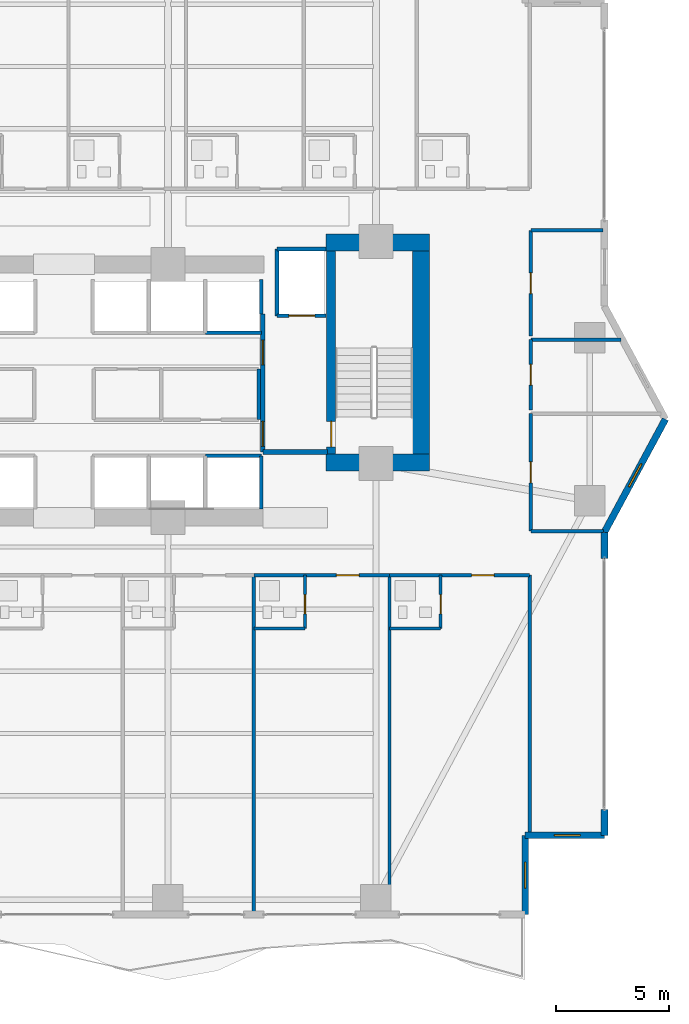
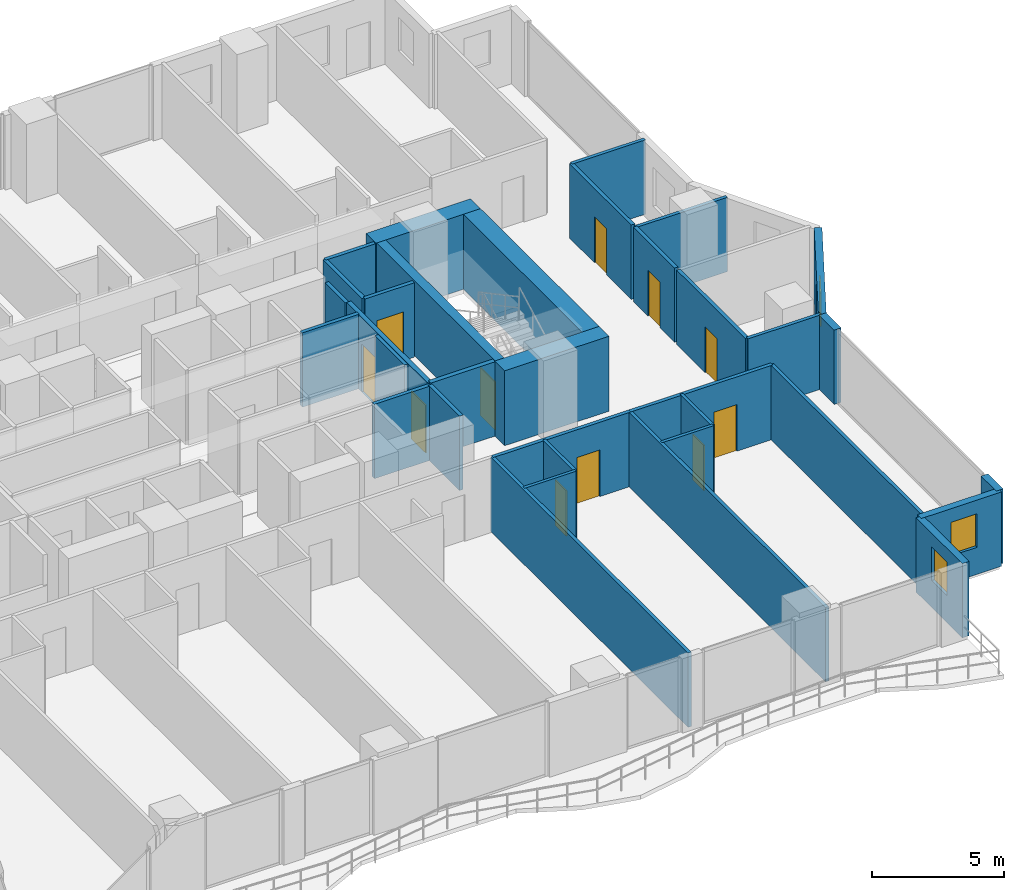
# One storey, part 23 of 29: 34 walls, 11 doors, 3 windows, 14 openings.
"""IFC4 building model written with IfcOpenShell, lengths in metres."""

from ifc_helpers import new_model, si_unit, direction, frame, frame_2d, origin, place, context, subcontext, project, spatial, rectangle, extrude, material, layer, layer_set, type_object, element, fill, save


model = new_model("IFC4")

# Units and contexts
model_context = context("Model", 3, precision=1e-05, world=origin(), true_north=direction((0.0, 1.0)))
body_context = subcontext(model_context, "Body", "Model", "MODEL_VIEW")
ifc_project = project(units=[si_unit("LENGTHUNIT", "METRE"), si_unit("AREAUNIT", "SQUARE_METRE"), si_unit("VOLUMEUNIT", "CUBIC_METRE"), si_unit("PLANEANGLEUNIT", "RADIAN"), si_unit("MASSUNIT", "GRAM", prefix="KILO")], contexts=[model_context])

# Site, building, storey
site_placement = place(None, origin())
site = spatial("IfcSite", under=ifc_project, at=site_placement, CompositionType="ELEMENT")
building_placement = place(site_placement, origin())
building = spatial("IfcBuilding", under=site, at=building_placement, Name="Zuhayl Quay Hotel", CompositionType="ELEMENT")
storey_placement = place(building_placement, frame((0.0, 0.0, 150.39990234375)))
storey = spatial("IfcBuildingStorey", under=building, at=storey_placement, Name="L38", CompositionType="ELEMENT", Elevation=150.39990234375)

# Walls
ifc_material_1 = material(Name="Concrete C60/75", Category="concrete")
ifc_layer_1 = layer(ifc_material_1, 0.75, Name="Concrete C60/75", Category="concrete")
ifc_layer_set_1 = layer_set([ifc_layer_1], Name="Concrete C60/75")
wall_type_1 = type_object("IfcWallType", Name="WL_CORE_750", PredefinedType="SHEAR", material=ifc_layer_set_1)
wall_1_placement = place(storey_placement, frame((11.60009765625, 14.304931640625, 0.0), z_axis=(0.0, 0.0, 1.0), x_axis=(1.0, 0.0, 0.0)))
element("IfcWall", 1, at=wall_1_placement, inside=storey, type_object=wall_type_1, Name="L38 Core Shear Wall CW_NE", PredefinedType="SHEAR", context=body_context, shape_type="SweptSolid", body=[
    extrude(rectangle(XDim=4.559814453125, YDim=0.75, at=frame_2d((2.27978515625, 0.0))), origin(), (0.0, 0.0, 1.0), 3.460205078125),
])
wall_2_placement = place(storey_placement, frame((15.784912109375, 4.969970703125, 0.0), z_axis=(0.0, 0.0, 1.0), x_axis=(0.0, 1.0, 0.0)))
element("IfcWall", 2, at=wall_2_placement, inside=storey, type_object=wall_type_1, Name="L38 Core Shear Wall CW_E", PredefinedType="SHEAR", context=body_context, shape_type="SweptSolid", body=[
    extrude(rectangle(XDim=8.9599609375, YDim=0.75, at=frame_2d((4.47998046875, 0.0))), origin(), (0.0, 0.0, 1.0), 3.460205078125),
])
wall_3_placement = place(storey_placement, frame((11.60009765625, 4.594970703125, 0.0), z_axis=(0.0, 0.0, 1.0), x_axis=(1.0, 0.0, 0.0)))
element("IfcWall", 3, at=wall_3_placement, inside=storey, type_object=wall_type_1, Name="L38 Core Shear Wall CW_SE", PredefinedType="SHEAR", context=body_context, shape_type="SweptSolid", body=[
    extrude(rectangle(XDim=4.559814453125, YDim=0.75, at=frame_2d((2.27978515625, 0.0))), origin(), (0.0, 0.0, 1.0), 3.460205078125),
])

# Wall, opening, window
ifc_material_2 = material(Name="Precast concrete C45/55", Category="concrete")
ifc_layer_2 = layer(ifc_material_2, 0.300048828125, Name="Precast concrete C45/55", Category="concrete")
ifc_layer_set_2 = layer_set([ifc_layer_2], Name="Precast concrete C45/55")
wall_type_2 = type_object("IfcWallType", Name="WL_EXT_300", PredefinedType="STANDARD", material=ifc_layer_set_2)
wall_4_placement = place(storey_placement, frame((26.60009765625, 6.5, 0.0), z_axis=(0.0, 0.0, 1.0), x_axis=(-0.475175525499, -0.879891027325, 0.0)))
wall_4 = element("IfcWall", 4, at=wall_4_placement, inside=storey, type_object=wall_type_2, Name="L38 Exterior Precast Wall ENV_L38_EW13", PredefinedType="STANDARD", context=body_context, shape_type="SweptSolid", body=[
    extrude(rectangle(XDim=5.6826171875, YDim=0.300048828125, at=frame_2d((2.84130859375, 0.0))), origin(), (0.0, 0.0, 1.0), 3.43017578125),
])
opening_1_placement = place(wall_4_placement, frame((2.2421875, 0.0, 1.25)))
opening_1 = element("IfcOpeningElement", 5, at=opening_1_placement, cuts=wall_4, Name="Opening W01N", PredefinedType="OPENING", context=body_context, shape_type="SweptSolid", body=[
    extrude(rectangle(XDim=1.14990234375, YDim=1.550048828125, at=frame_2d((0.574951171875, 0.77490234375))), frame((0.0, 0.159912109375, 0.0), z_axis=(0.0, -1.0, 0.0), x_axis=(1.0, 0.0, 0.0)), (0.0, 0.0, 1.0), 0.320068359375),
])
ifc_material_3 = material(Name="Dark Ceramic-Fritted Solar Glass", Category="glass")
window_type = type_object("IfcWindowType", Name="WN_NOTCH_1350", PartitioningType="SINGLE_PANEL", PredefinedType="WINDOW", material=ifc_material_3)
window_1_placement = place(opening_1_placement, origin())
window_1 = element("IfcWindow", 6, at=window_1_placement, inside=storey, type_object=window_type, Name="L38 Corner Notch Window 13", OverallHeight=1.550048828125, OverallWidth=1.14990234375, PartitioningType="SINGLE_PANEL", PredefinedType="WINDOW", context=body_context, shape_type="SweptSolid", body=[
    extrude(rectangle(XDim=1.14990234375, YDim=1.550048828125, at=frame_2d((0.574951171875, 0.77490234375))), frame((0.0, 0.030029296875, 0.0), z_axis=(0.0, -1.0, 0.0), x_axis=(1.0, 0.0, 0.0)), (0.0, 0.0, 1.0), 0.06005859375),
])
fill(opening_1, window_1)

# Walls
for number, where, z_axis, x_axis, name in (
    (7, (23.89990234375, 1.5, 0.0), (0.0, 0.0, 1.0), (0.0, -1.0, 0.0), "L38 Exterior Precast Wall ENV_L38_E14_EW1"),
    (8, (23.89990234375, -10.75, 0.0), (0.0, 0.0, 1.0), (0.0, -1.0, 0.0), "L38 Exterior Precast Wall ENV_L38_E14_EW2"),
):
    element("IfcWall", number, at=place(storey_placement, frame(where, z_axis=z_axis, x_axis=x_axis)), inside=storey, type_object=wall_type_2, Name=name, PredefinedType="STANDARD", context=body_context, shape_type="SweptSolid", body=[
        extrude(rectangle(XDim=1.14990234375, YDim=0.300048828125, at=frame_2d((0.574951171875, 0.0))), origin(), (0.0, 0.0, 1.0), 3.43017578125),
    ])

# Wall, opening, window
wall_5_placement = place(storey_placement, frame((23.89990234375, -11.89990234375, 0.0), z_axis=(0.0, 0.0, 1.0), x_axis=(-1.0, 0.0, 0.0)))
wall_5 = element("IfcWall", 9, at=wall_5_placement, inside=storey, type_object=wall_type_2, Name="L38 Exterior Precast Wall ENV_L38_EW15", PredefinedType="STANDARD", context=body_context, shape_type="SweptSolid", body=[
    extrude(rectangle(XDim=3.5, YDim=0.300048828125, at=frame_2d((1.75, 0.0))), origin(), (0.0, 0.0, 1.0), 3.43017578125),
])
opening_2_placement = place(wall_5_placement, frame((1.06494140625, 0.0, 1.25)))
opening_2 = element("IfcOpeningElement", 10, at=opening_2_placement, cuts=wall_5, Name="Opening W01N", PredefinedType="OPENING", context=body_context, shape_type="SweptSolid", body=[
    extrude(rectangle(XDim=1.14990234375, YDim=1.550048828125, at=frame_2d((0.574951171875, 0.77490234375))), frame((0.0, 0.159912109375, 0.0), z_axis=(0.0, -1.0, 0.0), x_axis=(1.0, 0.0, 0.0)), (0.0, 0.0, 1.0), 0.320068359375),
])
window_2_placement = place(opening_2_placement, origin())
window_2 = element("IfcWindow", 11, at=window_2_placement, inside=storey, type_object=window_type, Name="L38 Corner Notch Window 15", OverallHeight=1.550048828125, OverallWidth=1.14990234375, PartitioningType="SINGLE_PANEL", PredefinedType="WINDOW", context=body_context, shape_type="SweptSolid", body=[
    extrude(rectangle(XDim=1.14990234375, YDim=1.550048828125, at=frame_2d((0.574951171875, 0.77490234375))), frame((0.0, 0.030029296875, 0.0), z_axis=(0.0, -1.0, 0.0), x_axis=(1.0, 0.0, 0.0)), (0.0, 0.0, 1.0), 0.06005859375),
])
fill(opening_2, window_2)

wall_6_placement = place(storey_placement, frame((20.39990234375, -11.89990234375, 0.0), z_axis=(0.0, 0.0, 1.0), x_axis=(0.0, -1.0, 0.0)))
wall_6 = element("IfcWall", 12, at=wall_6_placement, inside=storey, type_object=wall_type_2, Name="L38 Exterior Precast Wall ENV_L38_EW16", PredefinedType="STANDARD", context=body_context, shape_type="SweptSolid", body=[
    extrude(rectangle(XDim=3.5, YDim=0.300048828125, at=frame_2d((1.75, 0.0))), origin(), (0.0, 0.0, 1.0), 3.43017578125),
])
opening_3_placement = place(wall_6_placement, frame((1.18505859375, 0.0, 1.25)))
opening_3 = element("IfcOpeningElement", 13, at=opening_3_placement, cuts=wall_6, Name="Opening W01N", PredefinedType="OPENING", context=body_context, shape_type="SweptSolid", body=[
    extrude(rectangle(XDim=1.14990234375, YDim=1.550048828125, at=frame_2d((0.574951171875, 0.77490234375))), frame((0.0, 0.159912109375, 0.0), z_axis=(0.0, -1.0, 0.0), x_axis=(1.0, 0.0, 0.0)), (0.0, 0.0, 1.0), 0.320068359375),
])
window_3_placement = place(opening_3_placement, origin())
window_3 = element("IfcWindow", 14, at=window_3_placement, inside=storey, type_object=window_type, Name="L38 Corner Notch Window 16", OverallHeight=1.550048828125, OverallWidth=1.14990234375, PartitioningType="SINGLE_PANEL", PredefinedType="WINDOW", context=body_context, shape_type="SweptSolid", body=[
    extrude(rectangle(XDim=1.14990234375, YDim=1.550048828125, at=frame_2d((0.574951171875, 0.77490234375))), frame((0.0, 0.030029296875, 0.0), z_axis=(0.0, -1.0, 0.0), x_axis=(1.0, 0.0, 0.0)), (0.0, 0.0, 1.0), 0.06005859375),
])
fill(opening_3, window_3)

# Walls
ifc_material_4 = material(Name="Acoustic Gypsum Partition STC-58")
ifc_layer_3 = layer(ifc_material_4, 0.14990234375, Name="Acoustic Gypsum Partition STC-58")
ifc_layer_set_3 = layer_set([ifc_layer_3], Name="Acoustic Gypsum Partition STC-58")
wall_type_3 = type_object("IfcWallType", Name="WL_PART_150", PredefinedType="PARTITIONING", material=ifc_layer_set_3)
wall_7_placement = place(storey_placement, frame((8.610107421875, 6.47998046875, 0.0), z_axis=(0.0, 0.0, 1.0), x_axis=(0.0, 1.0, 0.0)))
element("IfcWall", 15, at=wall_7_placement, inside=storey, type_object=wall_type_3, Name="L38 Partition IW_L38_CORE_LN_E", PredefinedType="PARTITIONING", context=body_context, shape_type="SweptSolid", body=[
    extrude(rectangle(XDim=2.239990234375, YDim=0.14990234375, at=frame_2d((1.1201171875, 0.0))), origin(), (0.0, 0.0, 1.0), 3.43017578125),
])
for number, where, z_axis, x_axis, name in (
    (16, (8.39990234375, -15.320068359375, 0.0), (0.0, 0.0, 1.0), (0.0, 1.0, 0.0), "L38 Partition IW_L38_SU05_E"),
    (17, (14.39990234375, -15.320068359375, 0.0), (0.0, 0.0, 1.0), (0.0, 1.0, 0.0), "L38 Partition IW_L38_SU06_E"),
):
    element("IfcWall", number, at=place(storey_placement, frame(where, z_axis=z_axis, x_axis=x_axis)), inside=storey, type_object=wall_type_3, Name=name, PredefinedType="PARTITIONING", context=body_context, shape_type="SweptSolid", body=[
        extrude(rectangle(XDim=14.920166015625, YDim=0.14990234375, at=frame_2d((7.4599609375, 0.0))), origin(), (0.0, 0.0, 1.0), 3.43017578125),
    ])
wall_8_placement = place(storey_placement, frame((20.60009765625, -11.89990234375, 0.0), z_axis=(0.0, 0.0, 1.0), x_axis=(0.0, 1.0, 0.0)))
element("IfcWall", 18, at=wall_8_placement, inside=storey, type_object=wall_type_3, Name="L38 Partition IW_L38_SU07_E", PredefinedType="PARTITIONING", context=body_context, shape_type="SweptSolid", body=[
    extrude(rectangle(XDim=11.5, YDim=0.14990234375, at=frame_2d((5.75, 0.0))), origin(), (0.0, 0.0, 1.0), 3.43017578125),
])
wall_9_placement = place(storey_placement, frame((20.64990234375, 1.550048828125, 0.0), z_axis=(0.0, 0.0, 1.0), x_axis=(1.0, 0.0, 0.0)))
element("IfcWall", 19, at=wall_9_placement, inside=storey, type_object=wall_type_3, Name="L38 Partition IW_L38_HK_MAIN_S", PredefinedType="PARTITIONING", context=body_context, shape_type="SweptSolid", body=[
    extrude(rectangle(XDim=3.217041015625, YDim=0.14990234375, at=frame_2d((1.6083984375, 0.0))), origin(), (0.0, 0.0, 1.0), 3.43017578125),
])
wall_10_placement = place(storey_placement, frame((20.64990234375, 10.02001953125, 0.0), z_axis=(0.0, 0.0, 1.0), x_axis=(1.0, 0.0, 0.0)))
element("IfcWall", 20, at=wall_10_placement, inside=storey, type_object=wall_type_3, Name="L38 Partition IW_L38_EFLK_2_N", PredefinedType="PARTITIONING", context=body_context, shape_type="SweptSolid", body=[
    extrude(rectangle(XDim=3.9892578125, YDim=0.14990234375, at=frame_2d((1.99462890625, 0.0))), origin(), (0.0, 0.0, 1.0), 3.43017578125),
])
wall_11_placement = place(storey_placement, frame((20.64990234375, 14.85009765625, 0.0), z_axis=(0.0, 0.0, 1.0), x_axis=(1.0, 0.0, 0.0)))
element("IfcWall", 21, at=wall_11_placement, inside=storey, type_object=wall_type_3, Name="L38 Partition IW_L38_EFLK_3_N", PredefinedType="PARTITIONING", context=body_context, shape_type="SweptSolid", body=[
    extrude(rectangle(XDim=3.190185546875, YDim=0.14990234375, at=frame_2d((1.59521484375, 0.0))), origin(), (0.0, 0.0, 1.0), 3.43017578125),
])

# Wall, opening, door
ifc_layer_4 = layer(ifc_material_4, 0.159912109375, Name="Acoustic Gypsum Partition STC-58")
ifc_layer_set_4 = layer_set([ifc_layer_4], Name="Acoustic Gypsum Partition STC-58")
wall_type_4 = type_object("IfcWallType", Name="WL_PART_CORR_160", PredefinedType="PARTITIONING", material=ifc_layer_set_4)
wall_12_placement = place(storey_placement, frame((8.39990234375, -0.39990234375, 0.0), z_axis=(0.0, 0.0, 1.0), x_axis=(1.0, 0.0, 0.0)))
wall_12 = element("IfcWall", 22, at=wall_12_placement, inside=storey, type_object=wall_type_4, Name="L38 Partition IW_L38_SU06_COR", PredefinedType="PARTITIONING", context=body_context, shape_type="SweptSolid", body=[
    extrude(rectangle(XDim=6.0, YDim=0.159912109375, at=frame_2d((3.0, 0.0))), origin(), (0.0, 0.0, 1.0), 3.43017578125),
])
opening_4_placement = place(wall_12_placement, frame((3.64990234375, 0.0, 0.0)))
opening_4 = element("IfcOpeningElement", 23, at=opening_4_placement, cuts=wall_12, Name="Opening D03L", PredefinedType="OPENING", context=body_context, shape_type="SweptSolid", body=[
    extrude(rectangle(XDim=1.0, YDim=2.14990234375, at=frame_2d((0.5, 1.074951171875))), frame((0.0, 0.08984375, 0.0), z_axis=(0.0, -1.0, 0.0), x_axis=(1.0, 0.0, 0.0)), (0.0, 0.0, 1.0), 0.179931640625),
])
ifc_material_5 = material(Name="Solid Walnut Acoustic Fire Door")
door_type_1 = type_object("IfcDoorType", Name="DR_SUITE_1000", OperationType="NOTDEFINED", PredefinedType="DOOR", material=ifc_material_5)
door_1_placement = place(opening_4_placement, origin())
door_1 = element("IfcDoor", 24, at=door_1_placement, inside=storey, type_object=door_type_1, Name="L38 Premier Twin Junior Suite L38-06 Entrance Door", OperationType="SINGLE_SWING_RIGHT", OverallHeight=2.14990234375, OverallWidth=1.0, PredefinedType="DOOR", context=body_context, shape_type="SweptSolid", body=[
    extrude(rectangle(XDim=1.0, YDim=2.14990234375, at=frame_2d((0.5, 1.074951171875))), frame((0.0, 0.02490234375, 0.0), z_axis=(0.0, -1.0, 0.0), x_axis=(1.0, 0.0, 0.0)), (0.0, 0.0, 1.0), 0.050048828125),
])
fill(opening_4, door_1)

wall_13_placement = place(storey_placement, frame((14.39990234375, -0.39990234375, 0.0), z_axis=(0.0, 0.0, 1.0), x_axis=(1.0, 0.0, 0.0)))
wall_13 = element("IfcWall", 25, at=wall_13_placement, inside=storey, type_object=wall_type_4, Name="L38 Partition IW_L38_SU07_COR", PredefinedType="PARTITIONING", context=body_context, shape_type="SweptSolid", body=[
    extrude(rectangle(XDim=6.2001953125, YDim=0.159912109375, at=frame_2d((3.10009765625, 0.0))), origin(), (0.0, 0.0, 1.0), 3.43017578125),
])
opening_5_placement = place(wall_13_placement, frame((3.625, 0.0, 0.0)))
opening_5 = element("IfcOpeningElement", 26, at=opening_5_placement, cuts=wall_13, Name="Opening D03L", PredefinedType="OPENING", context=body_context, shape_type="SweptSolid", body=[
    extrude(rectangle(XDim=1.0, YDim=2.14990234375, at=frame_2d((0.5, 1.074951171875))), frame((0.0, 0.08984375, 0.0), z_axis=(0.0, -1.0, 0.0), x_axis=(1.0, 0.0, 0.0)), (0.0, 0.0, 1.0), 0.179931640625),
])
door_2_placement = place(opening_5_placement, origin())
door_2 = element("IfcDoor", 27, at=door_2_placement, inside=storey, type_object=door_type_1, Name="L38 Premier Twin Junior Suite L38-07 Entrance Door", OperationType="SINGLE_SWING_RIGHT", OverallHeight=2.14990234375, OverallWidth=1.0, PredefinedType="DOOR", context=body_context, shape_type="SweptSolid", body=[
    extrude(rectangle(XDim=1.0, YDim=2.14990234375, at=frame_2d((0.5, 1.074951171875))), frame((0.0, 0.02490234375, 0.0), z_axis=(0.0, -1.0, 0.0), x_axis=(1.0, 0.0, 0.0)), (0.0, 0.0, 1.0), 0.050048828125),
])
fill(opening_5, door_2)

wall_14_placement = place(storey_placement, frame((20.64990234375, 1.550048828125, 0.0), z_axis=(0.0, 0.0, 1.0), x_axis=(0.0, 1.0, 0.0)))
wall_14 = element("IfcWall", 28, at=wall_14_placement, inside=storey, type_object=wall_type_4, Name="L38 Partition IW_L38_HK_MAIN_W", PredefinedType="PARTITIONING", context=body_context, shape_type="SweptSolid", body=[
    extrude(rectangle(XDim=5.199951171875, YDim=0.159912109375, at=frame_2d((2.60009765625, 0.0))), origin(), (0.0, 0.0, 1.0), 3.43017578125),
])
opening_6_placement = place(wall_14_placement, frame((2.139892578125, 0.0, 0.0)))
opening_6 = element("IfcOpeningElement", 29, at=opening_6_placement, cuts=wall_14, Name="Opening D05", PredefinedType="OPENING", context=body_context, shape_type="SweptSolid", body=[
    extrude(rectangle(XDim=0.919921875, YDim=2.1201171875, at=frame_2d((0.4599609375, 1.06005859375))), frame((0.0, 0.08984375, 0.0), z_axis=(0.0, -1.0, 0.0), x_axis=(1.0, 0.0, 0.0)), (0.0, 0.0, 1.0), 0.179931640625),
])
door_type_2 = type_object("IfcDoorType", Name="DR_INT_950", OperationType="NOTDEFINED", PredefinedType="DOOR", material=ifc_material_5)
door_3_placement = place(opening_6_placement, origin())
door_3 = element("IfcDoor", 30, at=door_3_placement, inside=storey, type_object=door_type_2, Name="L38 Housekeeping and Linen Room Door", OperationType="SINGLE_SWING_LEFT", OverallHeight=2.1201171875, OverallWidth=0.919921875, PredefinedType="DOOR", context=body_context, shape_type="SweptSolid", body=[
    extrude(rectangle(XDim=0.919921875, YDim=2.1201171875, at=frame_2d((0.4599609375, 1.06005859375))), frame((0.0, 0.02490234375, 0.0), z_axis=(0.0, -1.0, 0.0), x_axis=(1.0, 0.0, 0.0)), (0.0, 0.0, 1.0), 0.050048828125),
])
fill(opening_6, door_3)

wall_15_placement = place(storey_placement, frame((20.64990234375, 6.909912109375, 0.0), z_axis=(0.0, 0.0, 1.0), x_axis=(0.0, 1.0, 0.0)))
wall_15 = element("IfcWall", 31, at=wall_15_placement, inside=storey, type_object=wall_type_4, Name="L38 Partition IW_L38_EFLK_2_W", PredefinedType="PARTITIONING", context=body_context, shape_type="SweptSolid", body=[
    extrude(rectangle(XDim=3.110107421875, YDim=0.159912109375, at=frame_2d((1.55517578125, 0.0))), origin(), (0.0, 0.0, 1.0), 3.43017578125),
])
opening_7_placement = place(wall_15_placement, frame((1.094970703125, 0.0, 0.0)))
opening_7 = element("IfcOpeningElement", 32, at=opening_7_placement, cuts=wall_15, Name="Opening D05", PredefinedType="OPENING", context=body_context, shape_type="SweptSolid", body=[
    extrude(rectangle(XDim=0.919921875, YDim=2.1201171875, at=frame_2d((0.4599609375, 1.06005859375))), frame((0.0, 0.08984375, 0.0), z_axis=(0.0, -1.0, 0.0), x_axis=(1.0, 0.0, 0.0)), (0.0, 0.0, 1.0), 0.179931640625),
])
door_4_placement = place(opening_7_placement, origin())
door_4 = element("IfcDoor", 33, at=door_4_placement, inside=storey, type_object=door_type_2, Name="L38 Floor Beverage Pantry Door", OperationType="SINGLE_SWING_RIGHT", OverallHeight=2.1201171875, OverallWidth=0.919921875, PredefinedType="DOOR", context=body_context, shape_type="SweptSolid", body=[
    extrude(rectangle(XDim=0.919921875, YDim=2.1201171875, at=frame_2d((0.4599609375, 1.06005859375))), frame((0.0, 0.02490234375, 0.0), z_axis=(0.0, -1.0, 0.0), x_axis=(1.0, 0.0, 0.0)), (0.0, 0.0, 1.0), 0.050048828125),
])
fill(opening_7, door_4)

wall_16_placement = place(storey_placement, frame((20.64990234375, 10.179931640625, 0.0), z_axis=(0.0, 0.0, 1.0), x_axis=(0.0, 1.0, 0.0)))
wall_16 = element("IfcWall", 34, at=wall_16_placement, inside=storey, type_object=wall_type_4, Name="L38 Partition IW_L38_EFLK_3_W", PredefinedType="PARTITIONING", context=body_context, shape_type="SweptSolid", body=[
    extrude(rectangle(XDim=4.670166015625, YDim=0.159912109375, at=frame_2d((2.3349609375, 0.0))), origin(), (0.0, 0.0, 1.0), 3.43017578125),
])
opening_8_placement = place(wall_16_placement, frame((1.875, 0.0, 0.0)))
opening_8 = element("IfcOpeningElement", 35, at=opening_8_placement, cuts=wall_16, Name="Opening D05", PredefinedType="OPENING", context=body_context, shape_type="SweptSolid", body=[
    extrude(rectangle(XDim=0.919921875, YDim=2.1201171875, at=frame_2d((0.4599609375, 1.06005859375))), frame((0.0, 0.08984375, 0.0), z_axis=(0.0, -1.0, 0.0), x_axis=(1.0, 0.0, 0.0)), (0.0, 0.0, 1.0), 0.179931640625),
])
door_5_placement = place(opening_8_placement, origin())
door_5 = element("IfcDoor", 36, at=door_5_placement, inside=storey, type_object=door_type_2, Name="L38 East Prow Office L38 Door", OperationType="SINGLE_SWING_LEFT", OverallHeight=2.1201171875, OverallWidth=0.919921875, PredefinedType="DOOR", context=body_context, shape_type="SweptSolid", body=[
    extrude(rectangle(XDim=0.919921875, YDim=2.1201171875, at=frame_2d((0.4599609375, 1.06005859375))), frame((0.0, 0.02490234375, 0.0), z_axis=(0.0, -1.0, 0.0), x_axis=(1.0, 0.0, 0.0)), (0.0, 0.0, 1.0), 0.050048828125),
])
fill(opening_8, door_5)

ifc_material_6 = material(Name="Moisture-Resistant Sanitarychase Gypsum")
ifc_layer_5 = layer(ifc_material_6, 0.135009765625, Name="Moisture-Resistant Sanitarychase Gypsum")
ifc_layer_set_5 = layer_set([ifc_layer_5], Name="Moisture-Resistant Sanitarychase Gypsum")
wall_type_5 = type_object("IfcWallType", Name="WL_PART_PLUMB_150", PredefinedType="PLUMBINGWALL", material=ifc_layer_set_5)
wall_17_placement = place(storey_placement, frame((10.659912109375, -2.760009765625, 0.0), z_axis=(0.0, 0.0, 1.0), x_axis=(0.0, 1.0, 0.0)))
wall_17 = element("IfcWall", 37, at=wall_17_placement, inside=storey, type_object=wall_type_5, Name="L38 Partition IW_L38_SU06_BE", PredefinedType="PLUMBINGWALL", context=body_context, shape_type="SweptSolid", body=[
    extrude(rectangle(XDim=2.360107421875, YDim=0.135009765625, at=frame_2d((1.18017578125, 0.0))), origin(), (0.0, 0.0, 1.0), 3.43017578125),
])
opening_9_placement = place(wall_17_placement, frame((0.64990234375, 0.0, 0.0)))
opening_9 = element("IfcOpeningElement", 38, at=opening_9_placement, cuts=wall_17, Name="Opening D04", PredefinedType="OPENING", context=body_context, shape_type="SweptSolid", body=[
    extrude(rectangle(XDim=0.85009765625, YDim=2.10009765625, at=frame_2d((0.425048828125, 1.050048828125))), frame((0.0, 0.077392578125, 0.0), z_axis=(0.0, -1.0, 0.0), x_axis=(1.0, 0.0, 0.0)), (0.0, 0.0, 1.0), 0.155029296875),
])
ifc_material_7 = material(Name="Moisture-Resistant Walnut Veneer")
door_type_3 = type_object("IfcDoorType", Name="DR_BATH_850", OperationType="NOTDEFINED", PredefinedType="DOOR", material=ifc_material_7)
door_6_placement = place(opening_9_placement, origin())
door_6 = element("IfcDoor", 39, at=door_6_placement, inside=storey, type_object=door_type_3, Name="L38 Premier Twin Junior Suite L38-06 En-Suite Door", OperationType="SINGLE_SWING_LEFT", OverallHeight=2.10009765625, OverallWidth=0.85009765625, PredefinedType="DOOR", context=body_context, shape_type="SweptSolid", body=[
    extrude(rectangle(XDim=0.85009765625, YDim=2.10009765625, at=frame_2d((0.425048828125, 1.050048828125))), frame((0.0, 0.02490234375, 0.0), z_axis=(0.0, -1.0, 0.0), x_axis=(1.0, 0.0, 0.0)), (0.0, 0.0, 1.0), 0.050048828125),
])
fill(opening_9, door_6)

wall_18_placement = place(storey_placement, frame((16.659912109375, -2.760009765625, 0.0), z_axis=(0.0, 0.0, 1.0), x_axis=(0.0, 1.0, 0.0)))
wall_18 = element("IfcWall", 40, at=wall_18_placement, inside=storey, type_object=wall_type_5, Name="L38 Partition IW_L38_SU07_BE", PredefinedType="PLUMBINGWALL", context=body_context, shape_type="SweptSolid", body=[
    extrude(rectangle(XDim=2.360107421875, YDim=0.135009765625, at=frame_2d((1.18017578125, 0.0))), origin(), (0.0, 0.0, 1.0), 3.43017578125),
])
opening_10_placement = place(wall_18_placement, frame((0.64990234375, 0.0, 0.0)))
opening_10 = element("IfcOpeningElement", 41, at=opening_10_placement, cuts=wall_18, Name="Opening D04", PredefinedType="OPENING", context=body_context, shape_type="SweptSolid", body=[
    extrude(rectangle(XDim=0.85009765625, YDim=2.10009765625, at=frame_2d((0.425048828125, 1.050048828125))), frame((0.0, 0.077392578125, 0.0), z_axis=(0.0, -1.0, 0.0), x_axis=(1.0, 0.0, 0.0)), (0.0, 0.0, 1.0), 0.155029296875),
])
door_7_placement = place(opening_10_placement, origin())
door_7 = element("IfcDoor", 42, at=door_7_placement, inside=storey, type_object=door_type_3, Name="L38 Premier Twin Junior Suite L38-07 En-Suite Door", OperationType="SINGLE_SWING_LEFT", OverallHeight=2.10009765625, OverallWidth=0.85009765625, PredefinedType="DOOR", context=body_context, shape_type="SweptSolid", body=[
    extrude(rectangle(XDim=0.85009765625, YDim=2.10009765625, at=frame_2d((0.425048828125, 1.050048828125))), frame((0.0, 0.02490234375, 0.0), z_axis=(0.0, -1.0, 0.0), x_axis=(1.0, 0.0, 0.0)), (0.0, 0.0, 1.0), 0.050048828125),
])
fill(opening_10, door_7)

# Walls
for number, where, z_axis, x_axis, name in (
    (43, (8.39990234375, -2.760009765625, 0.0), (0.0, 0.0, 1.0), (1.0, 0.0, 0.0), "L38 Partition IW_L38_SU06_BS"),
    (44, (14.39990234375, -2.760009765625, 0.0), (0.0, 0.0, 1.0), (1.0, 0.0, 0.0), "L38 Partition IW_L38_SU07_BS"),
):
    element("IfcWall", number, at=place(storey_placement, frame(where, z_axis=z_axis, x_axis=x_axis)), inside=storey, type_object=wall_type_5, Name=name, PredefinedType="PLUMBINGWALL", context=body_context, shape_type="SweptSolid", body=[
        extrude(rectangle(XDim=2.260009765625, YDim=0.135009765625, at=frame_2d((1.1298828125, 0.0))), origin(), (0.0, 0.0, 1.0), 3.43017578125),
    ])

# Wall, opening, door
ifc_material_8 = material(Name="Gypsum Fireboard Assembly EI-90")
ifc_layer_6 = layer(ifc_material_8, 0.1650390625, Name="Gypsum Fireboard Assembly EI-90")
ifc_layer_set_6 = layer_set([ifc_layer_6], Name="Gypsum Fireboard Assembly EI-90")
wall_type_6 = type_object("IfcWallType", Name="WL_PART_SHAFT_160", PredefinedType="PARTITIONING", material=ifc_layer_set_6)
wall_19_placement = place(storey_placement, frame((9.419921875, 11.070068359375, 0.0), z_axis=(0.0, 0.0, 1.0), x_axis=(1.0, 0.0, 0.0)))
wall_19 = element("IfcWall", 45, at=wall_19_placement, inside=storey, type_object=wall_type_6, Name="L38 Partition IW_L38_SH_FL2_F", PredefinedType="PARTITIONING", context=body_context, shape_type="SweptSolid", body=[
    extrude(rectangle(XDim=2.16015625, YDim=0.1650390625, at=frame_2d((1.080078125, 0.0))), origin(), (0.0, 0.0, 1.0), 3.43017578125),
])
opening_11_placement = place(wall_19_placement, frame((0.530029296875, 0.0, 0.0)))
opening_11 = element("IfcOpeningElement", 46, at=opening_11_placement, cuts=wall_19, Name="Opening LD2", PredefinedType="OPENING", context=body_context, shape_type="SweptSolid", body=[
    extrude(rectangle(XDim=1.14990234375, YDim=2.25, at=frame_2d((0.574951171875, 1.125))), frame((0.0, 0.092529296875, 0.0), z_axis=(0.0, -1.0, 0.0), x_axis=(1.0, 0.0, 0.0)), (0.0, 0.0, 1.0), 0.18505859375),
])
ifc_material_9 = material(Name="Brushed Stainless Steel", Category="steel")
door_type_4 = type_object("IfcDoorType", Name="DR_LIFT_FF_1100", OperationType="SLIDING_TO_LEFT", PredefinedType="DOOR", material=ifc_material_9)
door_8_placement = place(opening_11_placement, origin())
door_8 = element("IfcDoor", 47, at=door_8_placement, inside=storey, type_object=door_type_4, Name="L38 Lift FL2 Sliding Landing Door", OperationType="SLIDING_TO_LEFT", OverallHeight=2.25, OverallWidth=1.14990234375, PredefinedType="DOOR", context=body_context, shape_type="SweptSolid", body=[
    extrude(rectangle(XDim=1.14990234375, YDim=2.25, at=frame_2d((0.574951171875, 1.125))), frame((0.0, 0.02490234375, 0.0), z_axis=(0.0, -1.0, 0.0), x_axis=(1.0, 0.0, 0.0)), (0.0, 0.0, 1.0), 0.050048828125),
])
fill(opening_11, door_8)

# Walls
wall_20_placement = place(storey_placement, frame((9.419921875, 11.070068359375, 0.0), z_axis=(0.0, 0.0, 1.0), x_axis=(0.0, 1.0, 0.0)))
element("IfcWall", 48, at=wall_20_placement, inside=storey, type_object=wall_type_6, Name="L38 Partition IW_L38_SH_FL2_W", PredefinedType="PARTITIONING", context=body_context, shape_type="SweptSolid", body=[
    extrude(rectangle(XDim=2.9599609375, YDim=0.1650390625, at=frame_2d((1.47998046875, 0.0))), origin(), (0.0, 0.0, 1.0), 3.43017578125),
])
wall_21_placement = place(storey_placement, frame((9.419921875, 14.030029296875, 0.0), z_axis=(0.0, 0.0, 1.0), x_axis=(1.0, 0.0, 0.0)))
element("IfcWall", 49, at=wall_21_placement, inside=storey, type_object=wall_type_6, Name="L38 Partition IW_L38_SH_FL2_B", PredefinedType="PARTITIONING", context=body_context, shape_type="SweptSolid", body=[
    extrude(rectangle(XDim=2.16015625, YDim=0.1650390625, at=frame_2d((1.080078125, 0.0))), origin(), (0.0, 0.0, 1.0), 3.43017578125),
])
wall_22_placement = place(storey_placement, frame((6.25, 4.8798828125, 0.0), z_axis=(0.0, 0.0, 1.0), x_axis=(1.0, 0.0, 0.0)))
element("IfcWall", 50, at=wall_22_placement, inside=storey, type_object=wall_type_6, Name="L38 Partition IW_L38_SH_HP2_F", PredefinedType="PARTITIONING", context=body_context, shape_type="SweptSolid", body=[
    extrude(rectangle(XDim=2.47998046875, YDim=0.1650390625, at=frame_2d((1.239990234375, 0.0))), origin(), (0.0, 0.0, 1.0), 3.43017578125),
])
wall_23_placement = place(storey_placement, frame((8.72998046875, 2.52001953125, 0.0), z_axis=(0.0, 0.0, 1.0), x_axis=(0.0, 1.0, 0.0)))
element("IfcWall", 51, at=wall_23_placement, inside=storey, type_object=wall_type_6, Name="L38 Partition IW_L38_SH_HP2_E", PredefinedType="PARTITIONING", context=body_context, shape_type="SweptSolid", body=[
    extrude(rectangle(XDim=2.35986328125, YDim=0.1650390625, at=frame_2d((1.179931640625, 0.0))), origin(), (0.0, 0.0, 1.0), 3.43017578125),
])
wall_24_placement = place(storey_placement, frame((6.25, 10.320068359375, 0.0), z_axis=(0.0, 0.0, 1.0), x_axis=(1.0, 0.0, 0.0)))
element("IfcWall", 52, at=wall_24_placement, inside=storey, type_object=wall_type_6, Name="L38 Partition IW_L38_SH_HP4_F", PredefinedType="PARTITIONING", context=body_context, shape_type="SweptSolid", body=[
    extrude(rectangle(XDim=2.47998046875, YDim=0.1650390625, at=frame_2d((1.239990234375, 0.0))), origin(), (0.0, 0.0, 1.0), 3.43017578125),
])
wall_25_placement = place(storey_placement, frame((8.72998046875, 11.14990234375, 0.0), z_axis=(0.0, 0.0, 1.0), x_axis=(0.0, 1.0, 0.0)))
element("IfcWall", 53, at=wall_25_placement, inside=storey, type_object=wall_type_6, Name="L38 Partition IW_L38_SH_HP4_E", PredefinedType="PARTITIONING", context=body_context, shape_type="SweptSolid", body=[
    extrude(rectangle(XDim=1.530029296875, YDim=0.1650390625, at=frame_2d((0.76513671875, 0.0))), origin(), (0.0, 0.0, 1.0), 3.43017578125),
])

# Wall, openings, doors
ifc_material_10 = material(Name="Gypsum Fireboard Assembly EI-120")
ifc_layer_7 = layer(ifc_material_10, 0.199951171875, Name="Gypsum Fireboard Assembly EI-120")
ifc_layer_set_7 = layer_set([ifc_layer_7], Name="Gypsum Fireboard Assembly EI-120")
wall_type_7 = type_object("IfcWallType", Name="WL_PART_SHAFT_200", PredefinedType="PARTITIONING", material=ifc_layer_set_7)
wall_26_placement = place(storey_placement, frame((8.800048828125, 11.14990234375, 0.0), z_axis=(0.0, 0.0, 1.0), x_axis=(0.0, -1.0, 0.0)))
wall_26 = element("IfcWall", 54, at=wall_26_placement, inside=storey, type_object=wall_type_7, Name="L38 Partition IW_L38_FSAE_E_W", PredefinedType="PARTITIONING", context=body_context, shape_type="SweptSolid", body=[
    extrude(rectangle(XDim=6.099853515625, YDim=0.199951171875, at=frame_2d((3.0498046875, 0.0))), origin(), (0.0, 0.0, 1.0), 3.43017578125),
])
opening_12_placement = place(wall_26_placement, frame((1.14990234375, 0.0, 0.0)))
opening_12 = element("IfcOpeningElement", 55, at=opening_12_placement, cuts=wall_26, Name="Opening D02", PredefinedType="OPENING", context=body_context, shape_type="SweptSolid", body=[
    extrude(rectangle(XDim=1.10009765625, YDim=2.199951171875, at=frame_2d((0.550048828125, 1.10009765625))), frame((0.0, 0.10986328125, 0.0), z_axis=(0.0, -1.0, 0.0), x_axis=(1.0, 0.0, 0.0)), (0.0, 0.0, 1.0), 0.219970703125),
])
opening_13_placement = place(wall_26_placement, frame((4.75, 0.0, 0.0)))
opening_13 = element("IfcOpeningElement", 56, at=opening_13_placement, cuts=wall_26, Name="Opening D02", PredefinedType="OPENING", context=body_context, shape_type="SweptSolid", body=[
    extrude(rectangle(XDim=1.10009765625, YDim=2.199951171875, at=frame_2d((0.550048828125, 1.10009765625))), frame((0.0, 0.10986328125, 0.0), z_axis=(0.0, -1.0, 0.0), x_axis=(1.0, 0.0, 0.0)), (0.0, 0.0, 1.0), 0.219970703125),
])
ifc_material_11 = material(Name="Steel ASTM A992 Grade 50", Category="steel")
door_type_5 = type_object("IfcDoorType", Name="DR_FIRE_90_1100", OperationType="NOTDEFINED", PredefinedType="DOOR", material=ifc_material_11)
door_9_placement = place(opening_12_placement, origin())
door_9 = element("IfcDoor", 57, at=door_9_placement, inside=storey, type_object=door_type_5, Name="L38 FSAE Lobby East North Entry Door", OperationType="SINGLE_SWING_RIGHT", OverallHeight=2.199951171875, OverallWidth=1.10009765625, PredefinedType="DOOR", context=body_context, shape_type="SweptSolid", body=[
    extrude(rectangle(XDim=1.10009765625, YDim=2.199951171875, at=frame_2d((0.550048828125, 1.10009765625))), frame((0.0, 0.02490234375, 0.0), z_axis=(0.0, -1.0, 0.0), x_axis=(1.0, 0.0, 0.0)), (0.0, 0.0, 1.0), 0.050048828125),
])
fill(opening_12, door_9)
door_10_placement = place(opening_13_placement, origin())
door_10 = element("IfcDoor", 58, at=door_10_placement, inside=storey, type_object=door_type_5, Name="L38 FSAE Lobby East South Entry Door", OperationType="SINGLE_SWING_LEFT", OverallHeight=2.199951171875, OverallWidth=1.10009765625, PredefinedType="DOOR", context=body_context, shape_type="SweptSolid", body=[
    extrude(rectangle(XDim=1.10009765625, YDim=2.199951171875, at=frame_2d((0.550048828125, 1.10009765625))), frame((0.0, 0.02490234375, 0.0), z_axis=(0.0, -1.0, 0.0), x_axis=(1.0, 0.0, 0.0)), (0.0, 0.0, 1.0), 0.050048828125),
])
fill(opening_13, door_10)

# Wall
wall_27_placement = place(storey_placement, frame((8.800048828125, 5.050048828125, 0.0), z_axis=(0.0, 0.0, 1.0), x_axis=(1.0, 0.0, 0.0)))
element("IfcWall", 59, at=wall_27_placement, inside=storey, type_object=wall_type_7, Name="L38 Partition IW_L38_FSAE_E_S", PredefinedType="PARTITIONING", context=body_context, shape_type="SweptSolid", body=[
    extrude(rectangle(XDim=2.849853515625, YDim=0.199951171875, at=frame_2d((1.4248046875, 0.0))), origin(), (0.0, 0.0, 1.0), 3.43017578125),
])

# Wall, opening, door
ifc_layer_8 = layer(ifc_material_1, 0.39990234375, Name="Concrete C60/75", Category="concrete")
ifc_layer_set_8 = layer_set([ifc_layer_8], Name="Concrete C60/75")
wall_type_8 = type_object("IfcWallType", Name="WL_STAIR_400", PredefinedType="SHEAR", material=ifc_layer_set_8)
wall_28_placement = place(storey_placement, frame((11.820068359375, 13.929931640625, 0.0), z_axis=(0.0, 0.0, 1.0), x_axis=(0.0, -1.0, 0.0)))
wall_28 = element("IfcWall", 60, at=wall_28_placement, inside=storey, type_object=wall_type_8, Name="L38 Core Shear Wall SW_ST2", PredefinedType="SHEAR", context=body_context, shape_type="SweptSolid", body=[
    extrude(rectangle(XDim=8.9599609375, YDim=0.39990234375, at=frame_2d((4.47998046875, 0.0))), origin(), (0.0, 0.0, 1.0), 3.460205078125),
])
opening_14_placement = place(wall_28_placement, frame((7.530029296875, 0.0, 0.0)))
opening_14 = element("IfcOpeningElement", 61, at=opening_14_placement, cuts=wall_28, Name="Opening D01", PredefinedType="OPENING", context=body_context, shape_type="SweptSolid", body=[
    extrude(rectangle(XDim=1.1201171875, YDim=2.219970703125, at=frame_2d((0.56005859375, 1.10986328125))), frame((0.0, 0.2099609375, 0.0), z_axis=(0.0, -1.0, 0.0), x_axis=(1.0, 0.0, 0.0)), (0.0, 0.0, 1.0), 0.419921875),
])
door_type_6 = type_object("IfcDoorType", Name="DR_STAIR_90_1100", OperationType="NOTDEFINED", PredefinedType="DOOR", material=ifc_material_11)
door_11_placement = place(opening_14_placement, origin())
door_11 = element("IfcDoor", 62, at=door_11_placement, inside=storey, type_object=door_type_6, Name="L38 Smokeproof Exit Stair ST2 Door", OperationType="SINGLE_SWING_RIGHT", OverallHeight=2.219970703125, OverallWidth=1.1201171875, PredefinedType="DOOR", context=body_context, shape_type="SweptSolid", body=[
    extrude(rectangle(XDim=1.1201171875, YDim=2.219970703125, at=frame_2d((0.56005859375, 1.10986328125))), frame((0.0, 0.02490234375, 0.0), z_axis=(0.0, -1.0, 0.0), x_axis=(1.0, 0.0, 0.0)), (0.0, 0.0, 1.0), 0.050048828125),
])
fill(opening_14, door_11)

save(model, "model.ifc")
